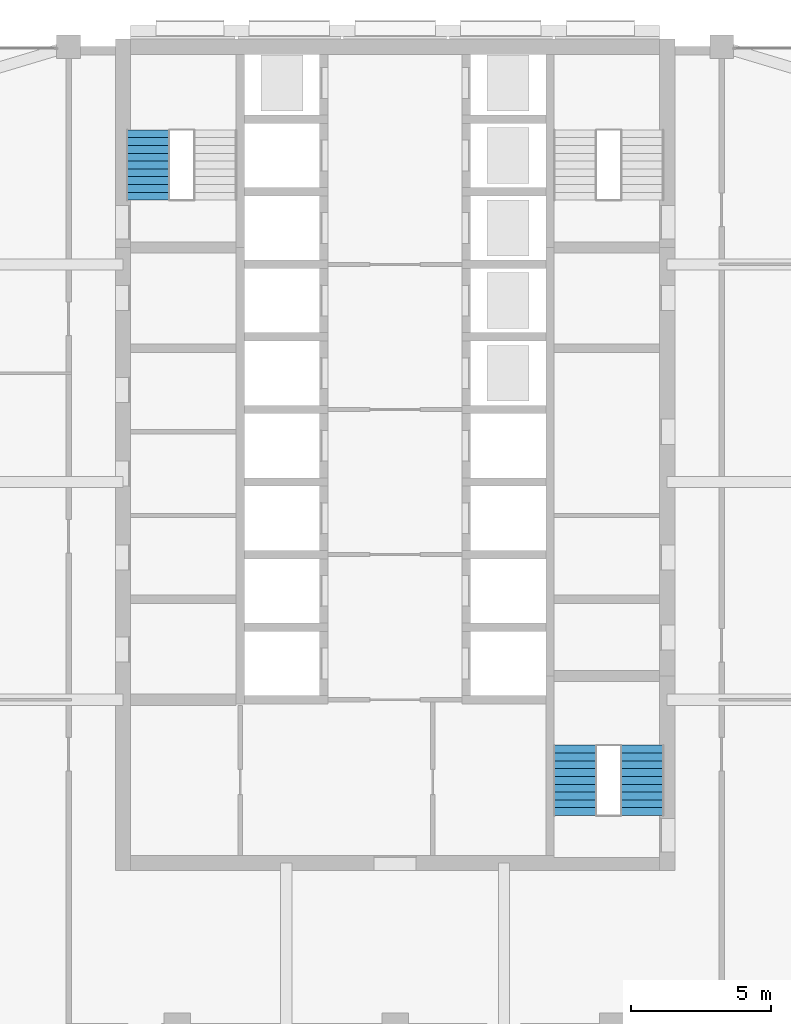
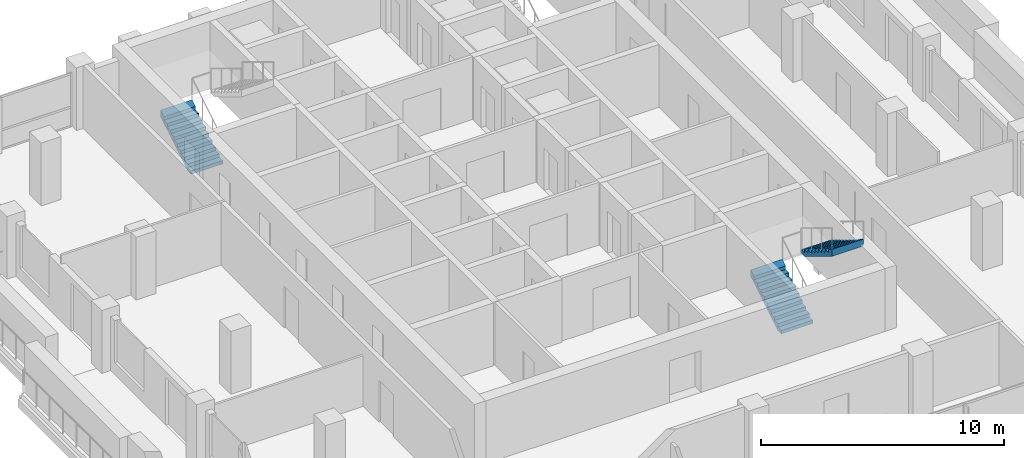
# One storey, part 15 of 19: 3 stair flights, 2 elements without a shape of their own.
"""IFC4 building model written with IfcOpenShell, lengths in metres."""

from ifc_helpers import new_model, si_unit, direction, frame, origin, place, context, subcontext, project, spatial, triangles, material, type_object, element, aggregate, save


model = new_model("IFC4")

# Units and contexts
model_context = context("Model", 3, precision=1e-05, world=origin(), true_north=direction((0.0, 1.0)))
body_context = subcontext(model_context, "Body", "Model", "MODEL_VIEW")
ifc_project = project(units=[si_unit("LENGTHUNIT", "METRE"), si_unit("AREAUNIT", "SQUARE_METRE"), si_unit("VOLUMEUNIT", "CUBIC_METRE"), si_unit("PLANEANGLEUNIT", "RADIAN"), si_unit("MASSUNIT", "GRAM", prefix="KILO")], contexts=[model_context])

# Site, building, storey
site_placement = place(None, origin())
site = spatial("IfcSite", under=ifc_project, at=site_placement, CompositionType="ELEMENT")
building_placement = place(site_placement, origin())
building = spatial("IfcBuilding", under=site, at=building_placement, Name="Ludao Terraces", CompositionType="ELEMENT")
storey_placement = place(building_placement, frame((0.0, 0.0, 133.89990234375)))
storey = spatial("IfcBuildingStorey", under=building, at=storey_placement, Name="L36", CompositionType="ELEMENT", Elevation=133.89990234375)

# Stair, stair flight
ifc_material = material(Name="Concrete C40", Category="concrete")
stair_type = type_object("IfcStairType", Name="INT Stair", PredefinedType="HALF_TURN_STAIR", material=ifc_material)
stair_1_placement = place(storey_placement, origin())
stair_1 = element("IfcStair", 1, at=stair_1_placement, inside=storey, type_object=stair_type, Name="EXIT STAIR 1", PredefinedType="HALF_TURN_STAIR")
stair_flight_type = type_object("IfcStairFlightType", Name="INT Stair flight", PredefinedType="STRAIGHT", material=ifc_material)
stair_flight_1_placement = place(storey_placement, frame((76.14990234375, 79.0, 0.0), z_axis=(0.0, 0.0, 1.0), x_axis=(0.0, 1.0, 0.0)))
stair_flight_1 = element("IfcStairFlight", 2, at=stair_flight_1_placement, type_object=stair_flight_type, Name="ST1 flight 1", NumberOfRisers=10, NumberOfTreads=9, PredefinedType="STRAIGHT", RiserHeight=0.17, TreadLength=0.28, context=body_context, shape_type="Tessellation", body=[
    triangles([(0.0, -0.75, 0.0), (0.0, -0.5, 0.0), (0.0, -0.25, 0.0), (0.0, 0.0, 0.0), (0.0, 0.25, 0.0), (0.0, 0.5, 0.0), (0.0, 0.75, 0.0), (0.0, -0.75, 0.169921875), (0.0, -0.5, 0.169921875), (0.0, -0.25, 0.169921875), (0.0, 0.0, 0.169921875), (0.0, 0.25, 0.169921875), (0.0, 0.5, 0.169921875), (0.0, 0.75, 0.169921875), (0.280029296875, -0.75, 0.169921875), (0.280029296875, -0.5, 0.169921875), (0.280029296875, -0.25, 0.169921875), (0.280029296875, 0.0, 0.169921875), (0.280029296875, 0.25, 0.169921875), (0.280029296875, 0.5, 0.169921875), (0.280029296875, 0.75, 0.169921875), (0.280029296875, -0.75, 0.340087890625), (0.280029296875, -0.5, 0.340087890625), (0.280029296875, -0.25, 0.340087890625), (0.280029296875, 0.0, 0.340087890625), (0.280029296875, 0.25, 0.340087890625), (0.280029296875, 0.5, 0.340087890625), (0.280029296875, 0.75, 0.340087890625), (0.56005859375, -0.75, 0.340087890625), (0.56005859375, -0.5, 0.340087890625), (0.56005859375, -0.25, 0.340087890625), (0.56005859375, 0.0, 0.340087890625), (0.56005859375, 0.25, 0.340087890625), (0.56005859375, 0.5, 0.340087890625), (0.56005859375, 0.75, 0.340087890625), (0.56005859375, -0.75, 0.510009765625), (0.56005859375, -0.5, 0.510009765625), (0.56005859375, -0.25, 0.510009765625), (0.56005859375, 0.0, 0.510009765625), (0.56005859375, 0.25, 0.510009765625), (0.56005859375, 0.5, 0.510009765625), (0.56005859375, 0.75, 0.510009765625), (0.840087890625, -0.75, 0.510009765625), (0.840087890625, -0.5, 0.510009765625), (0.840087890625, -0.25, 0.510009765625), (0.840087890625, 0.0, 0.510009765625), (0.840087890625, 0.25, 0.510009765625), (0.840087890625, 0.5, 0.510009765625), (0.840087890625, 0.75, 0.510009765625), (0.840087890625, -0.75, 0.679931640625), (0.840087890625, -0.5, 0.679931640625), (0.840087890625, -0.25, 0.679931640625), (0.840087890625, 0.0, 0.679931640625), (0.840087890625, 0.25, 0.679931640625), (0.840087890625, 0.5, 0.679931640625), (0.840087890625, 0.75, 0.679931640625), (1.1201171875, -0.75, 0.679931640625), (1.1201171875, -0.5, 0.679931640625), (1.1201171875, -0.25, 0.679931640625), (1.1201171875, 0.0, 0.679931640625), (1.1201171875, 0.25, 0.679931640625), (1.1201171875, 0.5, 0.679931640625), (1.1201171875, 0.75, 0.679931640625), (1.1201171875, -0.75, 0.85009765625), (1.1201171875, -0.5, 0.85009765625), (1.1201171875, -0.25, 0.85009765625), (1.1201171875, 0.0, 0.85009765625), (1.1201171875, 0.25, 0.85009765625), (1.1201171875, 0.5, 0.85009765625), (1.1201171875, 0.75, 0.85009765625), (1.39990234375, -0.75, 0.85009765625), (1.39990234375, -0.5, 0.85009765625), (1.39990234375, -0.25, 0.85009765625), (1.39990234375, 0.0, 0.85009765625), (1.39990234375, 0.25, 0.85009765625), (1.39990234375, 0.5, 0.85009765625), (1.39990234375, 0.75, 0.85009765625), (1.39990234375, -0.75, 1.02001953125), (1.39990234375, -0.5, 1.02001953125), (1.39990234375, -0.25, 1.02001953125), (1.39990234375, 0.0, 1.02001953125), (1.39990234375, 0.25, 1.02001953125), (1.39990234375, 0.5, 1.02001953125), (1.39990234375, 0.75, 1.02001953125), (1.679931640625, -0.75, 1.02001953125), (1.679931640625, -0.5, 1.02001953125), (1.679931640625, -0.25, 1.02001953125), (1.679931640625, 0.0, 1.02001953125), (1.679931640625, 0.25, 1.02001953125), (1.679931640625, 0.5, 1.02001953125), (1.679931640625, 0.75, 1.02001953125), (1.679931640625, -0.75, 1.18994140625), (1.679931640625, -0.5, 1.18994140625), (1.679931640625, -0.25, 1.18994140625), (1.679931640625, 0.0, 1.18994140625), (1.679931640625, 0.25, 1.18994140625), (1.679931640625, 0.5, 1.18994140625), (1.679931640625, 0.75, 1.18994140625), (1.9599609375, -0.75, 1.18994140625), (1.9599609375, -0.5, 1.18994140625), (1.9599609375, -0.25, 1.18994140625), (1.9599609375, 0.0, 1.18994140625), (1.9599609375, 0.25, 1.18994140625), (1.9599609375, 0.5, 1.18994140625), (1.9599609375, 0.75, 1.18994140625), (1.9599609375, -0.75, 1.360107421875), (1.9599609375, -0.5, 1.360107421875), (1.9599609375, -0.25, 1.360107421875), (1.9599609375, 0.0, 1.360107421875), (1.9599609375, 0.25, 1.360107421875), (1.9599609375, 0.5, 1.360107421875), (1.9599609375, 0.75, 1.360107421875), (2.239990234375, -0.75, 1.360107421875), (2.239990234375, -0.5, 1.360107421875), (2.239990234375, -0.25, 1.360107421875), (2.239990234375, 0.0, 1.360107421875), (2.239990234375, 0.25, 1.360107421875), (2.239990234375, 0.5, 1.360107421875), (2.239990234375, 0.75, 1.360107421875), (2.239990234375, -0.75, 1.530029296875), (2.239990234375, -0.5, 1.530029296875), (2.239990234375, -0.25, 1.530029296875), (2.239990234375, 0.0, 1.530029296875), (2.239990234375, 0.25, 1.530029296875), (2.239990234375, 0.5, 1.530029296875), (2.239990234375, 0.75, 1.530029296875), (2.52001953125, -0.75, 1.699951171875), (2.52001953125, -0.5, 1.699951171875), (2.52001953125, -0.25, 1.699951171875), (2.52001953125, 0.0, 1.699951171875), (2.52001953125, 0.25, 1.699951171875), (2.52001953125, 0.5, 1.699951171875), (2.52001953125, 0.75, 1.699951171875), (2.52001953125, -0.75, 1.354736328125), (2.52001953125, -0.5, 1.354736328125), (2.52001953125, -0.25, 1.354736328125), (2.52001953125, 0.0, 1.354736328125), (2.52001953125, 0.25, 1.354736328125), (2.52001953125, 0.5, 1.354736328125), (2.52001953125, 0.75, 1.354736328125), (0.288818359375, -0.75, 0.0), (0.288818359375, -0.5, 0.0), (0.288818359375, -0.25, 0.0), (0.288818359375, 0.0, 0.0), (0.288818359375, 0.25, 0.0), (0.288818359375, 0.5, 0.0), (0.288818359375, 0.75, 0.0)], [[1, 141, 134], [7, 140, 147], [134, 127, 120], [140, 126, 133], [134, 120, 113], [140, 119, 126], [134, 113, 106], [140, 112, 119], [134, 106, 99], [140, 105, 112], [99, 92, 85], [105, 91, 98], [134, 99, 85], [140, 91, 105], [85, 78, 71], [91, 77, 84], [134, 85, 71], [140, 77, 91], [71, 64, 57], [77, 63, 70], [134, 71, 57], [140, 63, 77], [57, 50, 43], [63, 49, 56], [134, 57, 43], [140, 49, 63], [43, 36, 29], [49, 35, 42], [134, 43, 29], [140, 35, 49], [29, 22, 15], [35, 21, 28], [134, 29, 15], [140, 21, 35], [1, 134, 15], [7, 21, 140], [15, 8, 1], [21, 7, 14], [1, 9, 2], [1, 8, 9], [2, 10, 3], [2, 9, 10], [3, 11, 4], [3, 10, 11], [4, 12, 5], [4, 11, 12], [5, 13, 6], [5, 12, 13], [6, 14, 7], [6, 13, 14], [8, 16, 9], [8, 15, 16], [9, 17, 10], [9, 16, 17], [10, 18, 11], [10, 17, 18], [11, 19, 12], [11, 18, 19], [12, 20, 13], [12, 19, 20], [13, 21, 14], [13, 20, 21], [15, 23, 16], [15, 22, 23], [16, 24, 17], [16, 23, 24], [17, 25, 18], [17, 24, 25], [18, 26, 19], [18, 25, 26], [19, 27, 20], [19, 26, 27], [20, 28, 21], [20, 27, 28], [22, 30, 23], [22, 29, 30], [23, 31, 24], [23, 30, 31], [24, 32, 25], [24, 31, 32], [25, 33, 26], [25, 32, 33], [26, 34, 27], [26, 33, 34], [27, 35, 28], [27, 34, 35], [29, 37, 30], [29, 36, 37], [30, 38, 31], [30, 37, 38], [31, 39, 32], [31, 38, 39], [32, 40, 33], [32, 39, 40], [33, 41, 34], [33, 40, 41], [34, 42, 35], [34, 41, 42], [36, 44, 37], [36, 43, 44], [37, 45, 38], [37, 44, 45], [38, 46, 39], [38, 45, 46], [39, 47, 40], [39, 46, 47], [40, 48, 41], [40, 47, 48], [41, 49, 42], [41, 48, 49], [43, 51, 44], [43, 50, 51], [44, 52, 45], [44, 51, 52], [45, 53, 46], [45, 52, 53], [46, 54, 47], [46, 53, 54], [47, 55, 48], [47, 54, 55], [48, 56, 49], [48, 55, 56], [50, 58, 51], [50, 57, 58], [51, 59, 52], [51, 58, 59], [52, 60, 53], [52, 59, 60], [53, 61, 54], [53, 60, 61], [54, 62, 55], [54, 61, 62], [55, 63, 56], [55, 62, 63], [57, 65, 58], [57, 64, 65], [58, 66, 59], [58, 65, 66], [59, 67, 60], [59, 66, 67], [60, 68, 61], [60, 67, 68], [61, 69, 62], [61, 68, 69], [62, 70, 63], [62, 69, 70], [64, 72, 65], [64, 71, 72], [65, 73, 66], [65, 72, 73], [66, 74, 67], [66, 73, 74], [67, 75, 68], [67, 74, 75], [68, 76, 69], [68, 75, 76], [69, 77, 70], [69, 76, 77], [71, 79, 72], [71, 78, 79], [72, 80, 73], [72, 79, 80], [73, 81, 74], [73, 80, 81], [74, 82, 75], [74, 81, 82], [75, 83, 76], [75, 82, 83], [76, 84, 77], [76, 83, 84], [78, 86, 79], [78, 85, 86], [79, 87, 80], [79, 86, 87], [80, 88, 81], [80, 87, 88], [81, 89, 82], [81, 88, 89], [82, 90, 83], [82, 89, 90], [83, 91, 84], [83, 90, 91], [85, 93, 86], [85, 92, 93], [86, 94, 87], [86, 93, 94], [87, 95, 88], [87, 94, 95], [88, 96, 89], [88, 95, 96], [89, 97, 90], [89, 96, 97], [90, 98, 91], [90, 97, 98], [92, 100, 93], [92, 99, 100], [93, 101, 94], [93, 100, 101], [94, 102, 95], [94, 101, 102], [95, 103, 96], [95, 102, 103], [96, 104, 97], [96, 103, 104], [97, 105, 98], [97, 104, 105], [99, 107, 100], [99, 106, 107], [100, 108, 101], [100, 107, 108], [101, 109, 102], [101, 108, 109], [102, 110, 103], [102, 109, 110], [103, 111, 104], [103, 110, 111], [104, 112, 105], [104, 111, 112], [106, 114, 107], [106, 113, 114], [107, 115, 108], [107, 114, 115], [108, 116, 109], [108, 115, 116], [109, 117, 110], [109, 116, 117], [110, 118, 111], [110, 117, 118], [111, 119, 112], [111, 118, 119], [113, 121, 114], [113, 120, 121], [114, 122, 115], [114, 121, 122], [115, 123, 116], [115, 122, 123], [116, 124, 117], [116, 123, 124], [117, 125, 118], [117, 124, 125], [118, 126, 119], [118, 125, 126], [120, 128, 121], [120, 127, 128], [121, 129, 122], [121, 128, 129], [122, 130, 123], [122, 129, 130], [123, 131, 124], [123, 130, 131], [124, 132, 125], [124, 131, 132], [125, 133, 126], [125, 132, 133], [127, 135, 128], [127, 134, 135], [128, 136, 129], [128, 135, 136], [129, 137, 130], [129, 136, 137], [130, 138, 131], [130, 137, 138], [131, 139, 132], [131, 138, 139], [132, 140, 133], [132, 139, 140], [134, 142, 135], [134, 141, 142], [135, 143, 136], [135, 142, 143], [136, 144, 137], [136, 143, 144], [137, 145, 138], [137, 144, 145], [138, 146, 139], [138, 145, 146], [139, 147, 140], [139, 146, 147], [141, 2, 142], [141, 1, 2], [142, 3, 143], [142, 2, 3], [143, 4, 144], [143, 3, 4], [144, 5, 145], [144, 4, 5], [145, 6, 146], [145, 5, 6], [146, 7, 147], [146, 6, 7]], closed=True),
])
aggregate(stair_1, [stair_flight_1])

# Stair, stair flights
stair_2_placement = place(storey_placement, origin())
stair_2 = element("IfcStair", 3, at=stair_2_placement, inside=storey, type_object=stair_type, Name="EXIT STAIR 3", PredefinedType="HALF_TURN_STAIR")
stair_flight_2_placement = place(storey_placement, frame((91.449951171875, 56.949951171875, 0.0), z_axis=(0.0, 0.0, 1.0), x_axis=(0.0, 1.0, 0.0)))
stair_flight_2 = element("IfcStairFlight", 4, at=stair_flight_2_placement, type_object=stair_flight_type, Name="ST3 flight 1", NumberOfRisers=10, NumberOfTreads=9, PredefinedType="STRAIGHT", RiserHeight=0.17, TreadLength=0.28, context=body_context, shape_type="Tessellation", body=[
    triangles([(0.0, -0.75, 0.0), (0.0, -0.5, 0.0), (0.0, -0.25, 0.0), (0.0, 0.0, 0.0), (0.0, 0.25, 0.0), (0.0, 0.5, 0.0), (0.0, 0.75, 0.0), (0.0, -0.75, 0.169921875), (0.0, -0.5, 0.169921875), (0.0, -0.25, 0.169921875), (0.0, 0.0, 0.169921875), (0.0, 0.25, 0.169921875), (0.0, 0.5, 0.169921875), (0.0, 0.75, 0.169921875), (0.280029296875, -0.75, 0.169921875), (0.280029296875, -0.5, 0.169921875), (0.280029296875, -0.25, 0.169921875), (0.280029296875, 0.0, 0.169921875), (0.280029296875, 0.25, 0.169921875), (0.280029296875, 0.5, 0.169921875), (0.280029296875, 0.75, 0.169921875), (0.280029296875, -0.75, 0.340087890625), (0.280029296875, -0.5, 0.340087890625), (0.280029296875, -0.25, 0.340087890625), (0.280029296875, 0.0, 0.340087890625), (0.280029296875, 0.25, 0.340087890625), (0.280029296875, 0.5, 0.340087890625), (0.280029296875, 0.75, 0.340087890625), (0.56005859375, -0.75, 0.340087890625), (0.56005859375, -0.5, 0.340087890625), (0.56005859375, -0.25, 0.340087890625), (0.56005859375, 0.0, 0.340087890625), (0.56005859375, 0.25, 0.340087890625), (0.56005859375, 0.5, 0.340087890625), (0.56005859375, 0.75, 0.340087890625), (0.56005859375, -0.75, 0.510009765625), (0.56005859375, -0.5, 0.510009765625), (0.56005859375, -0.25, 0.510009765625), (0.56005859375, 0.0, 0.510009765625), (0.56005859375, 0.25, 0.510009765625), (0.56005859375, 0.5, 0.510009765625), (0.56005859375, 0.75, 0.510009765625), (0.840087890625, -0.75, 0.510009765625), (0.840087890625, -0.5, 0.510009765625), (0.840087890625, -0.25, 0.510009765625), (0.840087890625, 0.0, 0.510009765625), (0.840087890625, 0.25, 0.510009765625), (0.840087890625, 0.5, 0.510009765625), (0.840087890625, 0.75, 0.510009765625), (0.840087890625, -0.75, 0.679931640625), (0.840087890625, -0.5, 0.679931640625), (0.840087890625, -0.25, 0.679931640625), (0.840087890625, 0.0, 0.679931640625), (0.840087890625, 0.25, 0.679931640625), (0.840087890625, 0.5, 0.679931640625), (0.840087890625, 0.75, 0.679931640625), (1.1201171875, -0.75, 0.679931640625), (1.1201171875, -0.5, 0.679931640625), (1.1201171875, -0.25, 0.679931640625), (1.1201171875, 0.0, 0.679931640625), (1.1201171875, 0.25, 0.679931640625), (1.1201171875, 0.5, 0.679931640625), (1.1201171875, 0.75, 0.679931640625), (1.1201171875, -0.75, 0.85009765625), (1.1201171875, -0.5, 0.85009765625), (1.1201171875, -0.25, 0.85009765625), (1.1201171875, 0.0, 0.85009765625), (1.1201171875, 0.25, 0.85009765625), (1.1201171875, 0.5, 0.85009765625), (1.1201171875, 0.75, 0.85009765625), (1.39990234375, -0.75, 0.85009765625), (1.39990234375, -0.5, 0.85009765625), (1.39990234375, -0.25, 0.85009765625), (1.39990234375, 0.0, 0.85009765625), (1.39990234375, 0.25, 0.85009765625), (1.39990234375, 0.5, 0.85009765625), (1.39990234375, 0.75, 0.85009765625), (1.39990234375, -0.75, 1.02001953125), (1.39990234375, -0.5, 1.02001953125), (1.39990234375, -0.25, 1.02001953125), (1.39990234375, 0.0, 1.02001953125), (1.39990234375, 0.25, 1.02001953125), (1.39990234375, 0.5, 1.02001953125), (1.39990234375, 0.75, 1.02001953125), (1.679931640625, -0.75, 1.02001953125), (1.679931640625, -0.5, 1.02001953125), (1.679931640625, -0.25, 1.02001953125), (1.679931640625, 0.0, 1.02001953125), (1.679931640625, 0.25, 1.02001953125), (1.679931640625, 0.5, 1.02001953125), (1.679931640625, 0.75, 1.02001953125), (1.679931640625, -0.75, 1.18994140625), (1.679931640625, -0.5, 1.18994140625), (1.679931640625, -0.25, 1.18994140625), (1.679931640625, 0.0, 1.18994140625), (1.679931640625, 0.25, 1.18994140625), (1.679931640625, 0.5, 1.18994140625), (1.679931640625, 0.75, 1.18994140625), (1.9599609375, -0.75, 1.18994140625), (1.9599609375, -0.5, 1.18994140625), (1.9599609375, -0.25, 1.18994140625), (1.9599609375, 0.0, 1.18994140625), (1.9599609375, 0.25, 1.18994140625), (1.9599609375, 0.5, 1.18994140625), (1.9599609375, 0.75, 1.18994140625), (1.9599609375, -0.75, 1.360107421875), (1.9599609375, -0.5, 1.360107421875), (1.9599609375, -0.25, 1.360107421875), (1.9599609375, 0.0, 1.360107421875), (1.9599609375, 0.25, 1.360107421875), (1.9599609375, 0.5, 1.360107421875), (1.9599609375, 0.75, 1.360107421875), (2.239990234375, -0.75, 1.360107421875), (2.239990234375, -0.5, 1.360107421875), (2.239990234375, -0.25, 1.360107421875), (2.239990234375, 0.0, 1.360107421875), (2.239990234375, 0.25, 1.360107421875), (2.239990234375, 0.5, 1.360107421875), (2.239990234375, 0.75, 1.360107421875), (2.239990234375, -0.75, 1.530029296875), (2.239990234375, -0.5, 1.530029296875), (2.239990234375, -0.25, 1.530029296875), (2.239990234375, 0.0, 1.530029296875), (2.239990234375, 0.25, 1.530029296875), (2.239990234375, 0.5, 1.530029296875), (2.239990234375, 0.75, 1.530029296875), (2.52001953125, -0.75, 1.699951171875), (2.52001953125, -0.5, 1.699951171875), (2.52001953125, -0.25, 1.699951171875), (2.52001953125, 0.0, 1.699951171875), (2.52001953125, 0.25, 1.699951171875), (2.52001953125, 0.5, 1.699951171875), (2.52001953125, 0.75, 1.699951171875), (2.52001953125, -0.75, 1.354736328125), (2.52001953125, -0.5, 1.354736328125), (2.52001953125, -0.25, 1.354736328125), (2.52001953125, 0.0, 1.354736328125), (2.52001953125, 0.25, 1.354736328125), (2.52001953125, 0.5, 1.354736328125), (2.52001953125, 0.75, 1.354736328125), (0.288818359375, -0.75, 0.0), (0.288818359375, -0.5, 0.0), (0.288818359375, -0.25, 0.0), (0.288818359375, 0.0, 0.0), (0.288818359375, 0.25, 0.0), (0.288818359375, 0.5, 0.0), (0.288818359375, 0.75, 0.0)], [[1, 141, 134], [7, 140, 147], [134, 127, 120], [140, 126, 133], [134, 120, 113], [140, 119, 126], [134, 113, 106], [140, 112, 119], [134, 106, 99], [140, 105, 112], [99, 92, 85], [105, 91, 98], [134, 99, 85], [140, 91, 105], [85, 78, 71], [91, 77, 84], [134, 85, 71], [140, 77, 91], [71, 64, 57], [77, 63, 70], [134, 71, 57], [140, 63, 77], [57, 50, 43], [63, 49, 56], [134, 57, 43], [140, 49, 63], [43, 36, 29], [49, 35, 42], [134, 43, 29], [140, 35, 49], [29, 22, 15], [35, 21, 28], [134, 29, 15], [140, 21, 35], [1, 134, 15], [7, 21, 140], [15, 8, 1], [21, 7, 14], [1, 9, 2], [1, 8, 9], [2, 10, 3], [2, 9, 10], [3, 11, 4], [3, 10, 11], [4, 12, 5], [4, 11, 12], [5, 13, 6], [5, 12, 13], [6, 14, 7], [6, 13, 14], [8, 16, 9], [8, 15, 16], [9, 17, 10], [9, 16, 17], [10, 18, 11], [10, 17, 18], [11, 19, 12], [11, 18, 19], [12, 20, 13], [12, 19, 20], [13, 21, 14], [13, 20, 21], [15, 23, 16], [15, 22, 23], [16, 24, 17], [16, 23, 24], [17, 25, 18], [17, 24, 25], [18, 26, 19], [18, 25, 26], [19, 27, 20], [19, 26, 27], [20, 28, 21], [20, 27, 28], [22, 30, 23], [22, 29, 30], [23, 31, 24], [23, 30, 31], [24, 32, 25], [24, 31, 32], [25, 33, 26], [25, 32, 33], [26, 34, 27], [26, 33, 34], [27, 35, 28], [27, 34, 35], [29, 37, 30], [29, 36, 37], [30, 38, 31], [30, 37, 38], [31, 39, 32], [31, 38, 39], [32, 40, 33], [32, 39, 40], [33, 41, 34], [33, 40, 41], [34, 42, 35], [34, 41, 42], [36, 44, 37], [36, 43, 44], [37, 45, 38], [37, 44, 45], [38, 46, 39], [38, 45, 46], [39, 47, 40], [39, 46, 47], [40, 48, 41], [40, 47, 48], [41, 49, 42], [41, 48, 49], [43, 51, 44], [43, 50, 51], [44, 52, 45], [44, 51, 52], [45, 53, 46], [45, 52, 53], [46, 54, 47], [46, 53, 54], [47, 55, 48], [47, 54, 55], [48, 56, 49], [48, 55, 56], [50, 58, 51], [50, 57, 58], [51, 59, 52], [51, 58, 59], [52, 60, 53], [52, 59, 60], [53, 61, 54], [53, 60, 61], [54, 62, 55], [54, 61, 62], [55, 63, 56], [55, 62, 63], [57, 65, 58], [57, 64, 65], [58, 66, 59], [58, 65, 66], [59, 67, 60], [59, 66, 67], [60, 68, 61], [60, 67, 68], [61, 69, 62], [61, 68, 69], [62, 70, 63], [62, 69, 70], [64, 72, 65], [64, 71, 72], [65, 73, 66], [65, 72, 73], [66, 74, 67], [66, 73, 74], [67, 75, 68], [67, 74, 75], [68, 76, 69], [68, 75, 76], [69, 77, 70], [69, 76, 77], [71, 79, 72], [71, 78, 79], [72, 80, 73], [72, 79, 80], [73, 81, 74], [73, 80, 81], [74, 82, 75], [74, 81, 82], [75, 83, 76], [75, 82, 83], [76, 84, 77], [76, 83, 84], [78, 86, 79], [78, 85, 86], [79, 87, 80], [79, 86, 87], [80, 88, 81], [80, 87, 88], [81, 89, 82], [81, 88, 89], [82, 90, 83], [82, 89, 90], [83, 91, 84], [83, 90, 91], [85, 93, 86], [85, 92, 93], [86, 94, 87], [86, 93, 94], [87, 95, 88], [87, 94, 95], [88, 96, 89], [88, 95, 96], [89, 97, 90], [89, 96, 97], [90, 98, 91], [90, 97, 98], [92, 100, 93], [92, 99, 100], [93, 101, 94], [93, 100, 101], [94, 102, 95], [94, 101, 102], [95, 103, 96], [95, 102, 103], [96, 104, 97], [96, 103, 104], [97, 105, 98], [97, 104, 105], [99, 107, 100], [99, 106, 107], [100, 108, 101], [100, 107, 108], [101, 109, 102], [101, 108, 109], [102, 110, 103], [102, 109, 110], [103, 111, 104], [103, 110, 111], [104, 112, 105], [104, 111, 112], [106, 114, 107], [106, 113, 114], [107, 115, 108], [107, 114, 115], [108, 116, 109], [108, 115, 116], [109, 117, 110], [109, 116, 117], [110, 118, 111], [110, 117, 118], [111, 119, 112], [111, 118, 119], [113, 121, 114], [113, 120, 121], [114, 122, 115], [114, 121, 122], [115, 123, 116], [115, 122, 123], [116, 124, 117], [116, 123, 124], [117, 125, 118], [117, 124, 125], [118, 126, 119], [118, 125, 126], [120, 128, 121], [120, 127, 128], [121, 129, 122], [121, 128, 129], [122, 130, 123], [122, 129, 130], [123, 131, 124], [123, 130, 131], [124, 132, 125], [124, 131, 132], [125, 133, 126], [125, 132, 133], [127, 135, 128], [127, 134, 135], [128, 136, 129], [128, 135, 136], [129, 137, 130], [129, 136, 137], [130, 138, 131], [130, 137, 138], [131, 139, 132], [131, 138, 139], [132, 140, 133], [132, 139, 140], [134, 142, 135], [134, 141, 142], [135, 143, 136], [135, 142, 143], [136, 144, 137], [136, 143, 144], [137, 145, 138], [137, 144, 145], [138, 146, 139], [138, 145, 146], [139, 147, 140], [139, 146, 147], [141, 2, 142], [141, 1, 2], [142, 3, 143], [142, 2, 3], [143, 4, 144], [143, 3, 4], [144, 5, 145], [144, 4, 5], [145, 6, 146], [145, 5, 6], [146, 7, 147], [146, 6, 7]], closed=True),
])
stair_flight_3_placement = place(storey_placement, frame((93.85009765625, 59.469970703125, 1.7001953125), z_axis=(0.0, 0.0, 1.0), x_axis=(0.0, -1.0, 0.0)))
stair_flight_3 = element("IfcStairFlight", 5, at=stair_flight_3_placement, type_object=stair_flight_type, Name="ST3 flight 2", NumberOfRisers=10, NumberOfTreads=9, PredefinedType="STRAIGHT", RiserHeight=0.17, TreadLength=0.28, context=body_context, shape_type="Tessellation", body=[
    triangles([(0.0, -0.75, 0.0), (0.0, -0.5, 0.0), (0.0, -0.25, 0.0), (0.0, 0.0, 0.0), (0.0, 0.25, 0.0), (0.0, 0.5, 0.0), (0.0, 0.75, 0.0), (0.0, -0.75, 0.169921875), (0.0, -0.5, 0.169921875), (0.0, -0.25, 0.169921875), (0.0, 0.0, 0.169921875), (0.0, 0.25, 0.169921875), (0.0, 0.5, 0.169921875), (0.0, 0.75, 0.169921875), (0.280029296875, -0.75, 0.169921875), (0.280029296875, -0.5, 0.169921875), (0.280029296875, -0.25, 0.169921875), (0.280029296875, 0.0, 0.169921875), (0.280029296875, 0.25, 0.169921875), (0.280029296875, 0.5, 0.169921875), (0.280029296875, 0.75, 0.169921875), (0.280029296875, -0.75, 0.340087890625), (0.280029296875, -0.5, 0.340087890625), (0.280029296875, -0.25, 0.340087890625), (0.280029296875, 0.0, 0.340087890625), (0.280029296875, 0.25, 0.340087890625), (0.280029296875, 0.5, 0.340087890625), (0.280029296875, 0.75, 0.340087890625), (0.56005859375, -0.75, 0.340087890625), (0.56005859375, -0.5, 0.340087890625), (0.56005859375, -0.25, 0.340087890625), (0.56005859375, 0.0, 0.340087890625), (0.56005859375, 0.25, 0.340087890625), (0.56005859375, 0.5, 0.340087890625), (0.56005859375, 0.75, 0.340087890625), (0.56005859375, -0.75, 0.510009765625), (0.56005859375, -0.5, 0.510009765625), (0.56005859375, -0.25, 0.510009765625), (0.56005859375, 0.0, 0.510009765625), (0.56005859375, 0.25, 0.510009765625), (0.56005859375, 0.5, 0.510009765625), (0.56005859375, 0.75, 0.510009765625), (0.840087890625, -0.75, 0.510009765625), (0.840087890625, -0.5, 0.510009765625), (0.840087890625, -0.25, 0.510009765625), (0.840087890625, 0.0, 0.510009765625), (0.840087890625, 0.25, 0.510009765625), (0.840087890625, 0.5, 0.510009765625), (0.840087890625, 0.75, 0.510009765625), (0.840087890625, -0.75, 0.679931640625), (0.840087890625, -0.5, 0.679931640625), (0.840087890625, -0.25, 0.679931640625), (0.840087890625, 0.0, 0.679931640625), (0.840087890625, 0.25, 0.679931640625), (0.840087890625, 0.5, 0.679931640625), (0.840087890625, 0.75, 0.679931640625), (1.1201171875, -0.75, 0.679931640625), (1.1201171875, -0.5, 0.679931640625), (1.1201171875, -0.25, 0.679931640625), (1.1201171875, 0.0, 0.679931640625), (1.1201171875, 0.25, 0.679931640625), (1.1201171875, 0.5, 0.679931640625), (1.1201171875, 0.75, 0.679931640625), (1.1201171875, -0.75, 0.85009765625), (1.1201171875, -0.5, 0.85009765625), (1.1201171875, -0.25, 0.85009765625), (1.1201171875, 0.0, 0.85009765625), (1.1201171875, 0.25, 0.85009765625), (1.1201171875, 0.5, 0.85009765625), (1.1201171875, 0.75, 0.85009765625), (1.39990234375, -0.75, 0.85009765625), (1.39990234375, -0.5, 0.85009765625), (1.39990234375, -0.25, 0.85009765625), (1.39990234375, 0.0, 0.85009765625), (1.39990234375, 0.25, 0.85009765625), (1.39990234375, 0.5, 0.85009765625), (1.39990234375, 0.75, 0.85009765625), (1.39990234375, -0.75, 1.02001953125), (1.39990234375, -0.5, 1.02001953125), (1.39990234375, -0.25, 1.02001953125), (1.39990234375, 0.0, 1.02001953125), (1.39990234375, 0.25, 1.02001953125), (1.39990234375, 0.5, 1.02001953125), (1.39990234375, 0.75, 1.02001953125), (1.679931640625, -0.75, 1.02001953125), (1.679931640625, -0.5, 1.02001953125), (1.679931640625, -0.25, 1.02001953125), (1.679931640625, 0.0, 1.02001953125), (1.679931640625, 0.25, 1.02001953125), (1.679931640625, 0.5, 1.02001953125), (1.679931640625, 0.75, 1.02001953125), (1.679931640625, -0.75, 1.18994140625), (1.679931640625, -0.5, 1.18994140625), (1.679931640625, -0.25, 1.18994140625), (1.679931640625, 0.0, 1.18994140625), (1.679931640625, 0.25, 1.18994140625), (1.679931640625, 0.5, 1.18994140625), (1.679931640625, 0.75, 1.18994140625), (1.9599609375, -0.75, 1.18994140625), (1.9599609375, -0.5, 1.18994140625), (1.9599609375, -0.25, 1.18994140625), (1.9599609375, 0.0, 1.18994140625), (1.9599609375, 0.25, 1.18994140625), (1.9599609375, 0.5, 1.18994140625), (1.9599609375, 0.75, 1.18994140625), (1.9599609375, -0.75, 1.360107421875), (1.9599609375, -0.5, 1.360107421875), (1.9599609375, -0.25, 1.360107421875), (1.9599609375, 0.0, 1.360107421875), (1.9599609375, 0.25, 1.360107421875), (1.9599609375, 0.5, 1.360107421875), (1.9599609375, 0.75, 1.360107421875), (2.239990234375, -0.75, 1.360107421875), (2.239990234375, -0.5, 1.360107421875), (2.239990234375, -0.25, 1.360107421875), (2.239990234375, 0.0, 1.360107421875), (2.239990234375, 0.25, 1.360107421875), (2.239990234375, 0.5, 1.360107421875), (2.239990234375, 0.75, 1.360107421875), (2.239990234375, -0.75, 1.530029296875), (2.239990234375, -0.5, 1.530029296875), (2.239990234375, -0.25, 1.530029296875), (2.239990234375, 0.0, 1.530029296875), (2.239990234375, 0.25, 1.530029296875), (2.239990234375, 0.5, 1.530029296875), (2.239990234375, 0.75, 1.530029296875), (2.52001953125, -0.75, 1.699951171875), (2.52001953125, -0.5, 1.699951171875), (2.52001953125, -0.25, 1.699951171875), (2.52001953125, 0.0, 1.699951171875), (2.52001953125, 0.25, 1.699951171875), (2.52001953125, 0.5, 1.699951171875), (2.52001953125, 0.75, 1.699951171875), (2.52001953125, -0.75, 1.354736328125), (2.52001953125, -0.5, 1.354736328125), (2.52001953125, -0.25, 1.354736328125), (2.52001953125, 0.0, 1.354736328125), (2.52001953125, 0.25, 1.354736328125), (2.52001953125, 0.5, 1.354736328125), (2.52001953125, 0.75, 1.354736328125), (0.288818359375, -0.75, 0.0), (0.288818359375, -0.5, 0.0), (0.288818359375, -0.25, 0.0), (0.288818359375, 0.0, 0.0), (0.288818359375, 0.25, 0.0), (0.288818359375, 0.5, 0.0), (0.288818359375, 0.75, 0.0)], [[1, 141, 134], [7, 140, 147], [134, 127, 120], [140, 126, 133], [134, 120, 113], [140, 119, 126], [134, 113, 106], [140, 112, 119], [134, 106, 99], [140, 105, 112], [99, 92, 85], [105, 91, 98], [134, 99, 85], [140, 91, 105], [85, 78, 71], [91, 77, 84], [134, 85, 71], [140, 77, 91], [71, 64, 57], [77, 63, 70], [134, 71, 57], [140, 63, 77], [57, 50, 43], [63, 49, 56], [134, 57, 43], [140, 49, 63], [43, 36, 29], [49, 35, 42], [134, 43, 29], [140, 35, 49], [29, 22, 15], [35, 21, 28], [134, 29, 15], [140, 21, 35], [1, 134, 15], [7, 21, 140], [15, 8, 1], [21, 7, 14], [1, 9, 2], [1, 8, 9], [2, 10, 3], [2, 9, 10], [3, 11, 4], [3, 10, 11], [4, 12, 5], [4, 11, 12], [5, 13, 6], [5, 12, 13], [6, 14, 7], [6, 13, 14], [8, 16, 9], [8, 15, 16], [9, 17, 10], [9, 16, 17], [10, 18, 11], [10, 17, 18], [11, 19, 12], [11, 18, 19], [12, 20, 13], [12, 19, 20], [13, 21, 14], [13, 20, 21], [15, 23, 16], [15, 22, 23], [16, 24, 17], [16, 23, 24], [17, 25, 18], [17, 24, 25], [18, 26, 19], [18, 25, 26], [19, 27, 20], [19, 26, 27], [20, 28, 21], [20, 27, 28], [22, 30, 23], [22, 29, 30], [23, 31, 24], [23, 30, 31], [24, 32, 25], [24, 31, 32], [25, 33, 26], [25, 32, 33], [26, 34, 27], [26, 33, 34], [27, 35, 28], [27, 34, 35], [29, 37, 30], [29, 36, 37], [30, 38, 31], [30, 37, 38], [31, 39, 32], [31, 38, 39], [32, 40, 33], [32, 39, 40], [33, 41, 34], [33, 40, 41], [34, 42, 35], [34, 41, 42], [36, 44, 37], [36, 43, 44], [37, 45, 38], [37, 44, 45], [38, 46, 39], [38, 45, 46], [39, 47, 40], [39, 46, 47], [40, 48, 41], [40, 47, 48], [41, 49, 42], [41, 48, 49], [43, 51, 44], [43, 50, 51], [44, 52, 45], [44, 51, 52], [45, 53, 46], [45, 52, 53], [46, 54, 47], [46, 53, 54], [47, 55, 48], [47, 54, 55], [48, 56, 49], [48, 55, 56], [50, 58, 51], [50, 57, 58], [51, 59, 52], [51, 58, 59], [52, 60, 53], [52, 59, 60], [53, 61, 54], [53, 60, 61], [54, 62, 55], [54, 61, 62], [55, 63, 56], [55, 62, 63], [57, 65, 58], [57, 64, 65], [58, 66, 59], [58, 65, 66], [59, 67, 60], [59, 66, 67], [60, 68, 61], [60, 67, 68], [61, 69, 62], [61, 68, 69], [62, 70, 63], [62, 69, 70], [64, 72, 65], [64, 71, 72], [65, 73, 66], [65, 72, 73], [66, 74, 67], [66, 73, 74], [67, 75, 68], [67, 74, 75], [68, 76, 69], [68, 75, 76], [69, 77, 70], [69, 76, 77], [71, 79, 72], [71, 78, 79], [72, 80, 73], [72, 79, 80], [73, 81, 74], [73, 80, 81], [74, 82, 75], [74, 81, 82], [75, 83, 76], [75, 82, 83], [76, 84, 77], [76, 83, 84], [78, 86, 79], [78, 85, 86], [79, 87, 80], [79, 86, 87], [80, 88, 81], [80, 87, 88], [81, 89, 82], [81, 88, 89], [82, 90, 83], [82, 89, 90], [83, 91, 84], [83, 90, 91], [85, 93, 86], [85, 92, 93], [86, 94, 87], [86, 93, 94], [87, 95, 88], [87, 94, 95], [88, 96, 89], [88, 95, 96], [89, 97, 90], [89, 96, 97], [90, 98, 91], [90, 97, 98], [92, 100, 93], [92, 99, 100], [93, 101, 94], [93, 100, 101], [94, 102, 95], [94, 101, 102], [95, 103, 96], [95, 102, 103], [96, 104, 97], [96, 103, 104], [97, 105, 98], [97, 104, 105], [99, 107, 100], [99, 106, 107], [100, 108, 101], [100, 107, 108], [101, 109, 102], [101, 108, 109], [102, 110, 103], [102, 109, 110], [103, 111, 104], [103, 110, 111], [104, 112, 105], [104, 111, 112], [106, 114, 107], [106, 113, 114], [107, 115, 108], [107, 114, 115], [108, 116, 109], [108, 115, 116], [109, 117, 110], [109, 116, 117], [110, 118, 111], [110, 117, 118], [111, 119, 112], [111, 118, 119], [113, 121, 114], [113, 120, 121], [114, 122, 115], [114, 121, 122], [115, 123, 116], [115, 122, 123], [116, 124, 117], [116, 123, 124], [117, 125, 118], [117, 124, 125], [118, 126, 119], [118, 125, 126], [120, 128, 121], [120, 127, 128], [121, 129, 122], [121, 128, 129], [122, 130, 123], [122, 129, 130], [123, 131, 124], [123, 130, 131], [124, 132, 125], [124, 131, 132], [125, 133, 126], [125, 132, 133], [127, 135, 128], [127, 134, 135], [128, 136, 129], [128, 135, 136], [129, 137, 130], [129, 136, 137], [130, 138, 131], [130, 137, 138], [131, 139, 132], [131, 138, 139], [132, 140, 133], [132, 139, 140], [134, 142, 135], [134, 141, 142], [135, 143, 136], [135, 142, 143], [136, 144, 137], [136, 143, 144], [137, 145, 138], [137, 144, 145], [138, 146, 139], [138, 145, 146], [139, 147, 140], [139, 146, 147], [141, 2, 142], [141, 1, 2], [142, 3, 143], [142, 2, 3], [143, 4, 144], [143, 3, 4], [144, 5, 145], [144, 4, 5], [145, 6, 146], [145, 5, 6], [146, 7, 147], [146, 6, 7]], closed=True),
])
aggregate(stair_2, [stair_flight_2, stair_flight_3])

save(model, "model.ifc")
